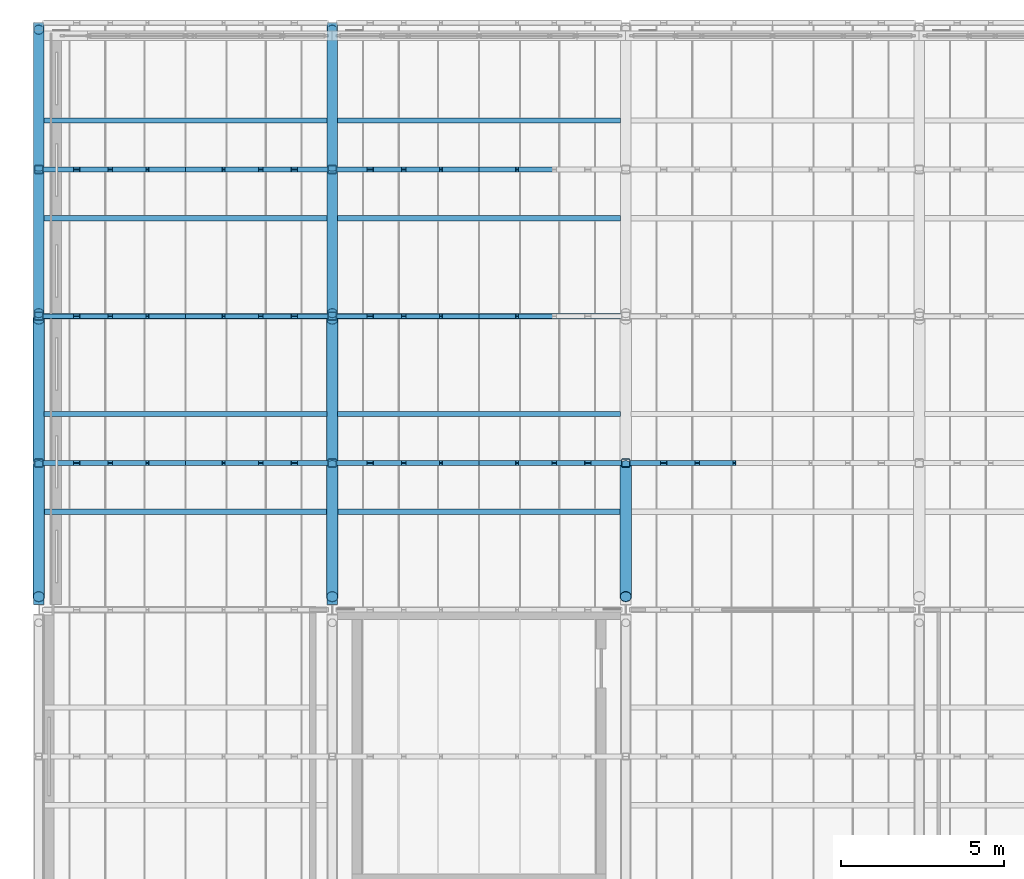
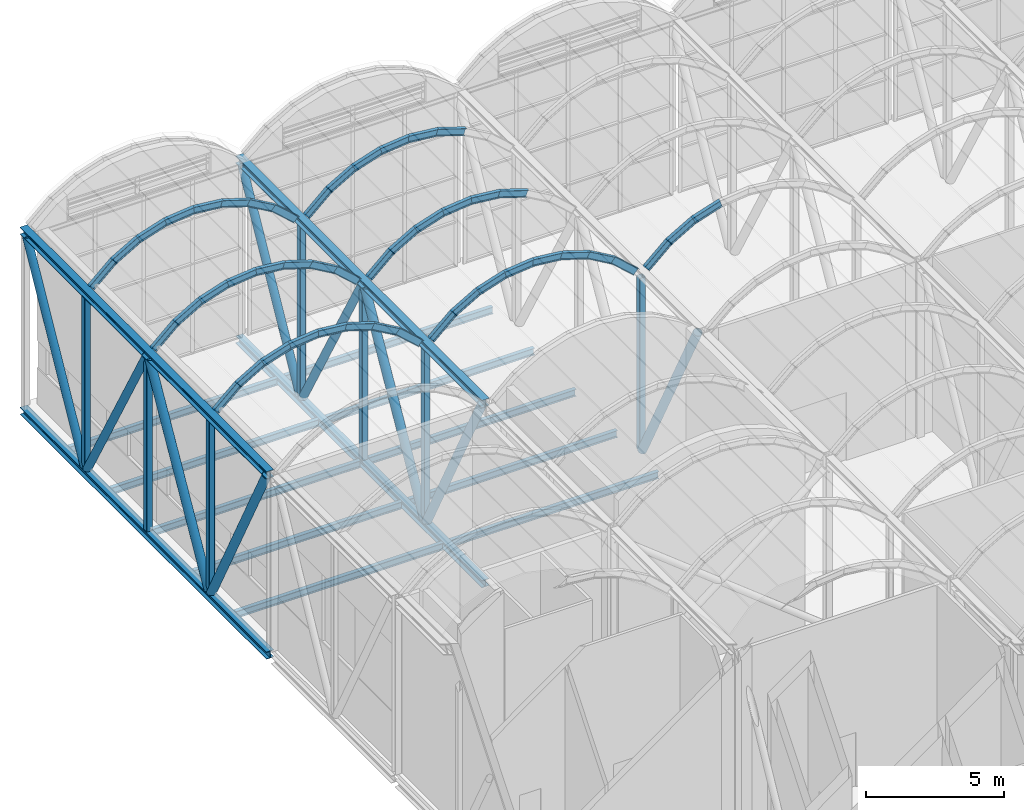
# One storey, part 102 of 144: 63 members, 14 beams.
"""IFC4 building model written with IfcOpenShell, lengths in metres."""

from ifc_helpers import new_model, si_unit, direction, frame, origin, origin_2d, place, context, subcontext, project, spatial, hollow_rectangle, hollow_circle, i_section, extrude, material, material_profile, profile_set, type_object, element, save


model = new_model("IFC4")

# Units and contexts
model_context = context("Model", 3, precision=1e-05, world=origin(), true_north=direction((0.0, 1.0)))
body_context = subcontext(model_context, "Body", "Model", "MODEL_VIEW")
ifc_project = project(units=[si_unit("LENGTHUNIT", "METRE"), si_unit("AREAUNIT", "SQUARE_METRE"), si_unit("VOLUMEUNIT", "CUBIC_METRE"), si_unit("PLANEANGLEUNIT", "RADIAN"), si_unit("MASSUNIT", "GRAM", prefix="KILO")], contexts=[model_context])

# Site, building, storey
site_placement = place(None, origin())
site = spatial("IfcSite", under=ifc_project, at=site_placement, CompositionType="ELEMENT")
building_placement = place(site_placement, origin())
building = spatial("IfcBuilding", under=site, at=building_placement, Name="Shorebreak Coast Museum", CompositionType="ELEMENT")
storey_placement = place(building_placement, frame((0.0, 0.0, 36.0)))
storey = spatial("IfcBuildingStorey", under=building, at=storey_placement, Name="L06", CompositionType="ELEMENT", Elevation=36.0)

# Beams
ifc_material_1 = material(Name="Steel Grade 300", Category="steel")
ifc_material_profile_1 = material_profile(ifc_material_1, i_section(OverallWidth=0.166015625, OverallDepth=0.30712890625, WebThickness=0.006591796875, FlangeThickness=0.01171875, FilletRadius=0.011474609375, at=origin_2d()), Name="310UB46.2")
ifc_profile_set_1 = profile_set([ifc_material_profile_1], Name="Steel Grade 300")
beam_type_1 = type_object("IfcBeamType", Name="Floor girder east-west 310UB46.2", PredefinedType="BEAM", material=ifc_profile_set_1)
for number, where, z_axis, x_axis, name in (
    (1, (54.155517578125, 126.0, -0.32861328125), (1.0, 0.0, 0.0), (0.0, 1.0, 0.0), "Floor girder east-west L06 7R"),
    (2, (63.155517578125, 126.0, -0.32861328125), (1.0, 0.0, 0.0), (0.0, 1.0, 0.0), "Floor girder east-west L06 8R"),
):
    element("IfcBeam", number, at=place(storey_placement, frame(where, z_axis=z_axis, x_axis=x_axis)), inside=storey, type_object=beam_type_1, Name=name, PredefinedType="BEAM", context=body_context, shape_type="SweptSolid", body=[
        extrude(i_section(OverallWidth=0.166015625, OverallDepth=0.30712890625, WebThickness=0.006591796875, FlangeThickness=0.01171875, FilletRadius=0.011474609375, at=origin_2d()), origin(), (0.0, 0.0, 1.0), 8.68896484375),
    ])
ifc_material_2 = material(Name="Steel Grade 300", Category="steel")
ifc_material_profile_2 = material_profile(ifc_material_2, i_section(OverallWidth=0.166015625, OverallDepth=0.30712890625, WebThickness=0.006591796875, FlangeThickness=0.01171875, FilletRadius=0.011474609375, at=origin_2d()), Name="310UB46.2")
ifc_profile_set_2 = profile_set([ifc_material_profile_2], Name="Steel Grade 300")
beam_type_2 = type_object("IfcBeamType", Name="Floor joist 310UB46.2", PredefinedType="JOIST", material=ifc_profile_set_2)
for number, where, z_axis, x_axis, name in (
    (3, (54.155517578125, 120.0, -0.32861328125), (1.0, 0.0, 0.0), (0.0, 1.0, 0.0), "Floor joist L06 bay 7P at 3000 mm"),
    (4, (54.155517578125, 123.0, -0.32861328125), (1.0, 0.0, 0.0), (0.0, 1.0, 0.0), "Floor joist L06 bay 7P at 6000 mm"),
    (5, (63.155517578125, 120.0, -0.32861328125), (1.0, 0.0, 0.0), (0.0, 1.0, 0.0), "Floor joist L06 bay 8P at 3000 mm"),
    (6, (63.155517578125, 123.0, -0.32861328125), (1.0, 0.0, 0.0), (0.0, 1.0, 0.0), "Floor joist L06 bay 8P at 6000 mm"),
    (7, (54.155517578125, 129.0, -0.32861328125), (1.0, 0.0, 0.0), (0.0, 1.0, 0.0), "Floor joist L06 bay 7R at 3000 mm"),
    (8, (54.155517578125, 132.0, -0.32861328125), (1.0, 0.0, 0.0), (0.0, 1.0, 0.0), "Floor joist L06 bay 7R at 6000 mm"),
    (9, (63.155517578125, 129.0, -0.32861328125), (1.0, 0.0, 0.0), (0.0, 1.0, 0.0), "Floor joist L06 bay 8R at 3000 mm"),
    (10, (63.155517578125, 132.0, -0.32861328125), (1.0, 0.0, 0.0), (0.0, 1.0, 0.0), "Floor joist L06 bay 8R at 6000 mm"),
):
    element("IfcBeam", number, at=place(storey_placement, frame(where, z_axis=z_axis, x_axis=x_axis)), inside=storey, type_object=beam_type_2, Name=name, PredefinedType="JOIST", context=body_context, shape_type="SweptSolid", body=[
        extrude(i_section(OverallWidth=0.166015625, OverallDepth=0.30712890625, WebThickness=0.006591796875, FlangeThickness=0.01171875, FilletRadius=0.011474609375, at=origin_2d()), origin(), (0.0, 0.0, 1.0), 8.68896484375),
    ])
ifc_material_3 = material(Name="Steel Grade 300", Category="steel")
ifc_material_profile_3 = material_profile(ifc_material_3, i_section(OverallWidth=0.30908203125, OverallDepth=0.320556640625, WebThickness=0.013916015625, FlangeThickness=0.021728515625, FilletRadius=0.0166015625, at=origin_2d()), Name="310UC137")
ifc_profile_set_3 = profile_set([ifc_material_profile_3], Name="Steel Grade 300")
beam_type_3 = type_object("IfcBeamType", Name="Transfer truss chord 310UC137", PredefinedType="BEAM", material=ifc_profile_set_3)
for number, where, z_axis, x_axis, name in (
    (11, (54.0, 117.16357421875, -0.335205078125), (0.0, 1.0, 0.0), (-1.0, 0.0, 0.0), "Transfer truss TR1 chord C08"),
    (12, (63.0, 117.16357421875, -0.335205078125), (0.0, 1.0, 0.0), (-1.0, 0.0, 0.0), "Transfer truss TR2 chord C08"),
):
    element("IfcBeam", number, at=place(storey_placement, frame(where, z_axis=z_axis, x_axis=x_axis)), inside=storey, type_object=beam_type_3, Name=name, PredefinedType="BEAM", context=body_context, shape_type="SweptSolid", body=[
        extrude(i_section(OverallWidth=0.30908203125, OverallDepth=0.320556640625, WebThickness=0.013916015625, FlangeThickness=0.021728515625, FilletRadius=0.0166015625, at=origin_2d()), origin(), (0.0, 0.0, 1.0), 17.83642578125),
    ])
ifc_material_4 = material(Name="Steel Grade 300", Category="steel")
ifc_material_profile_4 = material_profile(ifc_material_4, i_section(OverallWidth=0.31103515625, OverallDepth=0.3271484375, WebThickness=0.015625, FlangeThickness=0.02490234375, FilletRadius=0.0166015625, at=origin_2d()), Name="310UC158")
ifc_profile_set_4 = profile_set([ifc_material_profile_4], Name="Steel Grade 300")
beam_type_4 = type_object("IfcBeamType", Name="Transfer truss chord 310UC158", PredefinedType="BEAM", material=ifc_profile_set_4)
for number, where, z_axis, x_axis, name in (
    (13, (54.0, 117.16357421875, 7.621337890625), (0.0, 1.0, 0.0), (-1.0, 0.0, 0.0), "Transfer truss TR1 chord C12"),
    (14, (63.0, 117.16357421875, 7.621337890625), (0.0, 1.0, 0.0), (-1.0, 0.0, 0.0), "Transfer truss TR2 chord C12"),
):
    element("IfcBeam", number, at=place(storey_placement, frame(where, z_axis=z_axis, x_axis=x_axis)), inside=storey, type_object=beam_type_4, Name=name, PredefinedType="BEAM", context=body_context, shape_type="SweptSolid", body=[
        extrude(i_section(OverallWidth=0.31103515625, OverallDepth=0.3271484375, WebThickness=0.015625, FlangeThickness=0.02490234375, FilletRadius=0.0166015625, at=origin_2d()), origin(), (0.0, 0.0, 1.0), 17.83642578125),
    ])

# Members
ifc_material_5 = material(Name="Steel Grade C350L0", Category="steel")
ifc_material_profile_5 = material_profile(ifc_material_5, hollow_circle(Radius=0.161865234375, WallThickness=0.009521484375, at=origin_2d()), Name="323.9x9.5 CHS")
ifc_profile_set_5 = profile_set([ifc_material_profile_5], Name="Steel Grade C350L0")
member_type_1 = type_object("IfcMemberType", Name="Transfer truss diagonal 323.9x9.5 CHS", PredefinedType="BRACE", material=ifc_profile_set_5)
member_1_placement = place(storey_placement, frame((54.0, 130.4091796875, -0.175048828125), z_axis=(0.0, -0.492269166118, 0.870443029778), x_axis=(1.0, 0.0, 0.0)))
element("IfcMember", 15, at=member_1_placement, inside=storey, type_object=member_type_1, Name="Transfer truss TR1 diagonal D17", PredefinedType="BRACE", context=body_context, shape_type="SweptSolid", body=[
    extrude(hollow_circle(Radius=0.161865234375, WallThickness=0.009521484375, at=origin_2d()), origin(), (0.0, 0.0, 1.0), 8.768798828125),
])
member_2_placement = place(storey_placement, frame((54.0, 130.588134765625, -0.175048828125), z_axis=(0.0, 0.481806847745, 0.876277445485), x_axis=(-1.0, 0.0, 0.0)))
element("IfcMember", 16, at=member_2_placement, inside=storey, type_object=member_type_1, Name="Transfer truss TR1 diagonal D18", PredefinedType="BRACE", context=body_context, shape_type="SweptSolid", body=[
    extrude(hollow_circle(Radius=0.161865234375, WallThickness=0.009521484375, at=origin_2d()), origin(), (0.0, 0.0, 1.0), 8.71044921875),
])
member_3_placement = place(storey_placement, frame((63.0, 130.4091796875, -0.175048828125), z_axis=(0.0, -0.492269166118, 0.870443029778), x_axis=(1.0, 0.0, 0.0)))
element("IfcMember", 17, at=member_3_placement, inside=storey, type_object=member_type_1, Name="Transfer truss TR2 diagonal D17", PredefinedType="BRACE", context=body_context, shape_type="SweptSolid", body=[
    extrude(hollow_circle(Radius=0.161865234375, WallThickness=0.009521484375, at=origin_2d()), origin(), (0.0, 0.0, 1.0), 8.768798828125),
])
member_4_placement = place(storey_placement, frame((63.0, 130.588134765625, -0.175048828125), z_axis=(0.0, 0.481806847745, 0.876277445485), x_axis=(-1.0, 0.0, 0.0)))
element("IfcMember", 18, at=member_4_placement, inside=storey, type_object=member_type_1, Name="Transfer truss TR2 diagonal D18", PredefinedType="BRACE", context=body_context, shape_type="SweptSolid", body=[
    extrude(hollow_circle(Radius=0.161865234375, WallThickness=0.009521484375, at=origin_2d()), origin(), (0.0, 0.0, 1.0), 8.71044921875),
])
ifc_material_6 = material(Name="Steel Grade C350L0", Category="steel")
ifc_material_profile_6 = material_profile(ifc_material_6, hollow_circle(Radius=0.177734375, WallThickness=0.0126953125, at=origin_2d()), Name="355.6x12.7 CHS")
ifc_profile_set_6 = profile_set([ifc_material_profile_6], Name="Steel Grade C350L0")
member_type_2 = type_object("IfcMemberType", Name="Transfer truss diagonal 355.6x12.7 CHS", PredefinedType="BRACE", material=ifc_profile_set_6)
member_5_placement = place(storey_placement, frame((54.0, 121.415771484375, -0.175048828125), z_axis=(0.0, -0.465641431585, 0.884973478242), x_axis=(1.0, 0.0, 0.0)))
element("IfcMember", 19, at=member_5_placement, inside=storey, type_object=member_type_2, Name="Transfer truss TR1 diagonal D15", PredefinedType="BRACE", context=body_context, shape_type="SweptSolid", body=[
    extrude(hollow_circle(Radius=0.177734375, WallThickness=0.0126953125, at=origin_2d()), origin(), (0.0, 0.0, 1.0), 8.625),
])
member_6_placement = place(storey_placement, frame((54.0, 121.5908203125, -0.175048828125), z_axis=(0.0, 0.492269166118, 0.870443029778), x_axis=(-1.0, 0.0, 0.0)))
element("IfcMember", 20, at=member_6_placement, inside=storey, type_object=member_type_2, Name="Transfer truss TR1 diagonal D16", PredefinedType="BRACE", context=body_context, shape_type="SweptSolid", body=[
    extrude(hollow_circle(Radius=0.177734375, WallThickness=0.0126953125, at=origin_2d()), origin(), (0.0, 0.0, 1.0), 8.768798828125),
])
member_7_placement = place(storey_placement, frame((63.0, 121.415771484375, -0.175048828125), z_axis=(0.0, -0.465641431585, 0.884973478242), x_axis=(1.0, 0.0, 0.0)))
element("IfcMember", 21, at=member_7_placement, inside=storey, type_object=member_type_2, Name="Transfer truss TR2 diagonal D15", PredefinedType="BRACE", context=body_context, shape_type="SweptSolid", body=[
    extrude(hollow_circle(Radius=0.177734375, WallThickness=0.0126953125, at=origin_2d()), origin(), (0.0, 0.0, 1.0), 8.625),
])
member_8_placement = place(storey_placement, frame((63.0, 121.5908203125, -0.175048828125), z_axis=(0.0, 0.492269166118, 0.870443029778), x_axis=(-1.0, 0.0, 0.0)))
element("IfcMember", 22, at=member_8_placement, inside=storey, type_object=member_type_2, Name="Transfer truss TR2 diagonal D16", PredefinedType="BRACE", context=body_context, shape_type="SweptSolid", body=[
    extrude(hollow_circle(Radius=0.177734375, WallThickness=0.0126953125, at=origin_2d()), origin(), (0.0, 0.0, 1.0), 8.768798828125),
])
member_9_placement = place(storey_placement, frame((72.0, 121.415771484375, -0.175048828125), z_axis=(0.0, -0.465641431585, 0.884973478242), x_axis=(1.0, 0.0, 0.0)))
element("IfcMember", 23, at=member_9_placement, inside=storey, type_object=member_type_2, Name="Transfer truss TR3 diagonal D15", PredefinedType="BRACE", context=body_context, shape_type="SweptSolid", body=[
    extrude(hollow_circle(Radius=0.177734375, WallThickness=0.0126953125, at=origin_2d()), origin(), (0.0, 0.0, 1.0), 8.625),
])
ifc_material_7 = material(Name="Steel Grade C450L0", Category="steel")
ifc_material_profile_7 = material_profile(ifc_material_7, hollow_rectangle(XDim=0.25, YDim=0.25, WallThickness=0.009033203125, InnerFilletRadius=0.013427734375, OuterFilletRadius=0.0224609375, at=origin_2d()), Name="250x250x9.0 SHS")
ifc_profile_set_7 = profile_set([ifc_material_profile_7], Name="Steel Grade C450L0")
member_type_3 = type_object("IfcMemberType", Name="Transfer truss strut 250x250x9.0 SHS", PredefinedType="STRUT", material=ifc_profile_set_7)
for number, where, z_axis, x_axis, name in (
    (24, (54.0, 121.5, -0.175048828125), (0.0, 0.0, 1.0), (1.0, 0.0, 0.0), "Transfer truss TR1 strut V11"),
    (25, (54.0, 126.0, -0.175048828125), (0.0, 0.0, 1.0), (1.0, 0.0, 0.0), "Transfer truss TR1 strut V12"),
    (26, (54.0, 130.5, -0.175048828125), (0.0, 0.0, 1.0), (1.0, 0.0, 0.0), "Transfer truss TR1 strut V13"),
    (27, (63.0, 121.5, -0.175048828125), (0.0, 0.0, 1.0), (1.0, 0.0, 0.0), "Transfer truss TR2 strut V11"),
    (28, (63.0, 126.0, -0.175048828125), (0.0, 0.0, 1.0), (1.0, 0.0, 0.0), "Transfer truss TR2 strut V12"),
    (29, (63.0, 130.5, -0.175048828125), (0.0, 0.0, 1.0), (1.0, 0.0, 0.0), "Transfer truss TR2 strut V13"),
    (30, (72.0, 121.5, -0.175048828125), (0.0, 0.0, 1.0), (1.0, 0.0, 0.0), "Transfer truss TR3 strut V11"),
):
    element("IfcMember", number, at=place(storey_placement, frame(where, z_axis=z_axis, x_axis=x_axis)), inside=storey, type_object=member_type_3, Name=name, PredefinedType="STRUT", context=body_context, shape_type="SweptSolid", body=[
        extrude(hollow_rectangle(XDim=0.25, YDim=0.25, WallThickness=0.009033203125, InnerFilletRadius=0.013427734375, OuterFilletRadius=0.0224609375, at=origin_2d()), origin(), (0.0, 0.0, 1.0), 7.6328125),
    ])
ifc_material_8 = material(Name="Steel Grade 300", Category="steel")
ifc_material_profile_8 = material_profile(ifc_material_8, i_section(OverallWidth=0.14892578125, OverallDepth=0.298095703125, WebThickness=0.005615234375, FlangeThickness=0.008056640625, FilletRadius=0.012939453125, at=origin_2d()), Name="310UB32.0")
ifc_profile_set_8 = profile_set([ifc_material_profile_8], Name="Steel Grade 300")
member_type_4 = type_object("IfcMemberType", Name="Vault arch rib 310UB32.0", PredefinedType="RAFTER", material=ifc_profile_set_8)
for number, where, z_axis, x_axis, name in (
    (31, (54.21240234375, 121.5, 7.7216796875), (0.743894909598, 0.0, 0.668296613394), (0.0, 1.0, 0.0), "Vault arch rib V1 line 07 facet 1"),
    (32, (54.21240234375, 126.0, 7.7216796875), (0.743894909598, 0.0, 0.668296613394), (0.0, 1.0, 0.0), "Vault arch rib V1 line 08 facet 1"),
    (33, (54.21240234375, 130.5, 7.7216796875), (0.743894909598, 0.0, 0.668296613394), (0.0, 1.0, 0.0), "Vault arch rib V1 line 09 facet 1"),
):
    element("IfcMember", number, at=place(storey_placement, frame(where, z_axis=z_axis, x_axis=x_axis)), inside=storey, type_object=member_type_4, Name=name, PredefinedType="RAFTER", context=body_context, shape_type="SweptSolid", body=[
        extrude(i_section(OverallWidth=0.14892578125, OverallDepth=0.298095703125, WebThickness=0.005615234375, FlangeThickness=0.008056640625, FilletRadius=0.012939453125, at=origin_2d()), origin(), (0.0, 0.0, 1.0), 1.2724609375),
    ])
for number, where, z_axis, x_axis, name in (
    (34, (55.1337890625, 121.5, 8.5537109375), (0.866444596228, 0.0, 0.499273233478), (0.0, 1.0, 0.0), "Vault arch rib V1 line 07 facet 2"),
    (35, (55.1337890625, 126.0, 8.5537109375), (0.866444596228, 0.0, 0.499273233478), (0.0, 1.0, 0.0), "Vault arch rib V1 line 08 facet 2"),
    (36, (55.1337890625, 130.5, 8.5537109375), (0.866444596228, 0.0, 0.499273233478), (0.0, 1.0, 0.0), "Vault arch rib V1 line 09 facet 2"),
    (37, (56.165283203125, 121.5, 9.152099609375), (0.951225984169, 0.0, 0.308494938436), (0.0, 1.0, 0.0), "Vault arch rib V1 line 07 facet 3"),
    (38, (56.165283203125, 126.0, 9.152099609375), (0.951225984169, 0.0, 0.308494938436), (0.0, 1.0, 0.0), "Vault arch rib V1 line 08 facet 3"),
    (39, (56.165283203125, 130.5, 9.152099609375), (0.951225984169, 0.0, 0.308494938436), (0.0, 1.0, 0.0), "Vault arch rib V1 line 09 facet 3"),
    (40, (57.298828125, 121.5, 9.52294921875), (0.994539296345, 0.0, 0.104362771266), (0.0, 1.0, 0.0), "Vault arch rib V1 line 07 facet 4"),
    (41, (57.298828125, 126.0, 9.52294921875), (0.994539296345, 0.0, 0.104362771266), (0.0, 1.0, 0.0), "Vault arch rib V1 line 08 facet 4"),
    (42, (57.298828125, 130.5, 9.52294921875), (0.994539296345, 0.0, 0.104362771266), (0.0, 1.0, 0.0), "Vault arch rib V1 line 09 facet 4"),
    (43, (58.484375, 121.5, 9.650634765625), (0.994539296345, 0.0, -0.104362771266), (0.0, 1.0, 0.0), "Vault arch rib V1 line 07 facet 5"),
    (44, (58.484375, 126.0, 9.650634765625), (0.994539296345, 0.0, -0.104362771266), (0.0, 1.0, 0.0), "Vault arch rib V1 line 08 facet 5"),
    (45, (58.484375, 130.5, 9.650634765625), (0.994539296345, 0.0, -0.104362771266), (0.0, 1.0, 0.0), "Vault arch rib V1 line 09 facet 5"),
    (46, (59.6708984375, 121.5, 9.529541015625), (0.951225984169, 0.0, -0.308494938436), (0.0, 1.0, 0.0), "Vault arch rib V1 line 07 facet 6"),
    (47, (59.6708984375, 126.0, 9.529541015625), (0.951225984169, 0.0, -0.308494938436), (0.0, 1.0, 0.0), "Vault arch rib V1 line 08 facet 6"),
    (48, (59.6708984375, 130.5, 9.529541015625), (0.951225984169, 0.0, -0.308494938436), (0.0, 1.0, 0.0), "Vault arch rib V1 line 09 facet 6"),
    (49, (60.80615234375, 121.5, 9.16455078125), (0.866444596228, 0.0, -0.499273233478), (0.0, 1.0, 0.0), "Vault arch rib V1 line 07 facet 7"),
    (50, (60.80615234375, 126.0, 9.16455078125), (0.866444596228, 0.0, -0.499273233478), (0.0, 1.0, 0.0), "Vault arch rib V1 line 08 facet 7"),
    (51, (60.80615234375, 130.5, 9.16455078125), (0.866444596228, 0.0, -0.499273233478), (0.0, 1.0, 0.0), "Vault arch rib V1 line 09 facet 7"),
):
    element("IfcMember", number, at=place(storey_placement, frame(where, z_axis=z_axis, x_axis=x_axis)), inside=storey, type_object=member_type_4, Name=name, PredefinedType="RAFTER", context=body_context, shape_type="SweptSolid", body=[
        extrude(i_section(OverallWidth=0.14892578125, OverallDepth=0.298095703125, WebThickness=0.005615234375, FlangeThickness=0.008056640625, FilletRadius=0.012939453125, at=origin_2d()), origin(), (0.0, 0.0, 1.0), 1.223388671875),
    ])
for number, where, z_axis, x_axis, name in (
    (52, (61.841064453125, 121.5, 8.572021484375), (0.743894909598, 0.0, -0.668296613394), (0.0, 1.0, 0.0), "Vault arch rib V1 line 07 facet 8"),
    (53, (61.841064453125, 126.0, 8.572021484375), (0.743894909598, 0.0, -0.668296613394), (0.0, 1.0, 0.0), "Vault arch rib V1 line 08 facet 8"),
    (54, (61.841064453125, 130.5, 8.572021484375), (0.743894909598, 0.0, -0.668296613394), (0.0, 1.0, 0.0), "Vault arch rib V1 line 09 facet 8"),
    (55, (63.21240234375, 121.5, 7.7216796875), (0.743894909598, 0.0, 0.668296613394), (0.0, 1.0, 0.0), "Vault arch rib V2 line 07 facet 1"),
    (56, (63.21240234375, 126.0, 7.7216796875), (0.743894909598, 0.0, 0.668296613394), (0.0, 1.0, 0.0), "Vault arch rib V2 line 08 facet 1"),
    (57, (63.21240234375, 130.5, 7.7216796875), (0.743894909598, 0.0, 0.668296613394), (0.0, 1.0, 0.0), "Vault arch rib V2 line 09 facet 1"),
):
    element("IfcMember", number, at=place(storey_placement, frame(where, z_axis=z_axis, x_axis=x_axis)), inside=storey, type_object=member_type_4, Name=name, PredefinedType="RAFTER", context=body_context, shape_type="SweptSolid", body=[
        extrude(i_section(OverallWidth=0.14892578125, OverallDepth=0.298095703125, WebThickness=0.005615234375, FlangeThickness=0.008056640625, FilletRadius=0.012939453125, at=origin_2d()), origin(), (0.0, 0.0, 1.0), 1.2724609375),
    ])
for number, where, z_axis, x_axis, name in (
    (58, (64.1337890625, 121.5, 8.5537109375), (0.866444596228, 0.0, 0.499273233478), (0.0, 1.0, 0.0), "Vault arch rib V2 line 07 facet 2"),
    (59, (64.1337890625, 126.0, 8.5537109375), (0.866444596228, 0.0, 0.499273233478), (0.0, 1.0, 0.0), "Vault arch rib V2 line 08 facet 2"),
    (60, (64.1337890625, 130.5, 8.5537109375), (0.866444596228, 0.0, 0.499273233478), (0.0, 1.0, 0.0), "Vault arch rib V2 line 09 facet 2"),
    (61, (65.165283203125, 121.5, 9.152099609375), (0.951225984169, 0.0, 0.308494938436), (0.0, 1.0, 0.0), "Vault arch rib V2 line 07 facet 3"),
    (62, (65.165283203125, 126.0, 9.152099609375), (0.951225984169, 0.0, 0.308494938436), (0.0, 1.0, 0.0), "Vault arch rib V2 line 08 facet 3"),
    (63, (65.165283203125, 130.5, 9.152099609375), (0.951225984169, 0.0, 0.308494938436), (0.0, 1.0, 0.0), "Vault arch rib V2 line 09 facet 3"),
    (64, (66.298828125, 121.5, 9.52294921875), (0.994539296345, 0.0, 0.104362771266), (0.0, 1.0, 0.0), "Vault arch rib V2 line 07 facet 4"),
    (65, (66.298828125, 126.0, 9.52294921875), (0.994539296345, 0.0, 0.104362771266), (0.0, 1.0, 0.0), "Vault arch rib V2 line 08 facet 4"),
    (66, (66.298828125, 130.5, 9.52294921875), (0.994539296345, 0.0, 0.104362771266), (0.0, 1.0, 0.0), "Vault arch rib V2 line 09 facet 4"),
    (67, (67.484375, 121.5, 9.650634765625), (0.994539296345, 0.0, -0.104362771266), (0.0, 1.0, 0.0), "Vault arch rib V2 line 07 facet 5"),
    (68, (67.484375, 126.0, 9.650634765625), (0.994539296345, 0.0, -0.104362771266), (0.0, 1.0, 0.0), "Vault arch rib V2 line 08 facet 5"),
    (69, (67.484375, 130.5, 9.650634765625), (0.994539296345, 0.0, -0.104362771266), (0.0, 1.0, 0.0), "Vault arch rib V2 line 09 facet 5"),
    (70, (68.6708984375, 121.5, 9.529541015625), (0.951225984169, 0.0, -0.308494938436), (0.0, 1.0, 0.0), "Vault arch rib V2 line 07 facet 6"),
    (71, (68.6708984375, 126.0, 9.529541015625), (0.951225984169, 0.0, -0.308494938436), (0.0, 1.0, 0.0), "Vault arch rib V2 line 08 facet 6"),
    (72, (68.6708984375, 130.5, 9.529541015625), (0.951225984169, 0.0, -0.308494938436), (0.0, 1.0, 0.0), "Vault arch rib V2 line 09 facet 6"),
    (73, (69.80615234375, 121.5, 9.16455078125), (0.866444596228, 0.0, -0.499273233478), (0.0, 1.0, 0.0), "Vault arch rib V2 line 07 facet 7"),
):
    element("IfcMember", number, at=place(storey_placement, frame(where, z_axis=z_axis, x_axis=x_axis)), inside=storey, type_object=member_type_4, Name=name, PredefinedType="RAFTER", context=body_context, shape_type="SweptSolid", body=[
        extrude(i_section(OverallWidth=0.14892578125, OverallDepth=0.298095703125, WebThickness=0.005615234375, FlangeThickness=0.008056640625, FilletRadius=0.012939453125, at=origin_2d()), origin(), (0.0, 0.0, 1.0), 1.223388671875),
    ])
for number, where, z_axis, x_axis, name in (
    (74, (70.841064453125, 121.5, 8.572021484375), (0.743894909598, 0.0, -0.668296613394), (0.0, 1.0, 0.0), "Vault arch rib V2 line 07 facet 8"),
    (75, (72.21240234375, 121.5, 7.7216796875), (0.743894909598, 0.0, 0.668296613394), (0.0, 1.0, 0.0), "Vault arch rib V3 line 07 facet 1"),
):
    element("IfcMember", number, at=place(storey_placement, frame(where, z_axis=z_axis, x_axis=x_axis)), inside=storey, type_object=member_type_4, Name=name, PredefinedType="RAFTER", context=body_context, shape_type="SweptSolid", body=[
        extrude(i_section(OverallWidth=0.14892578125, OverallDepth=0.298095703125, WebThickness=0.005615234375, FlangeThickness=0.008056640625, FilletRadius=0.012939453125, at=origin_2d()), origin(), (0.0, 0.0, 1.0), 1.2724609375),
    ])
for number, where, z_axis, x_axis, name in (
    (76, (73.1337890625, 121.5, 8.5537109375), (0.866444596228, 0.0, 0.499273233478), (0.0, 1.0, 0.0), "Vault arch rib V3 line 07 facet 2"),
    (77, (74.165283203125, 121.5, 9.152099609375), (0.951225984169, 0.0, 0.308494938436), (0.0, 1.0, 0.0), "Vault arch rib V3 line 07 facet 3"),
):
    element("IfcMember", number, at=place(storey_placement, frame(where, z_axis=z_axis, x_axis=x_axis)), inside=storey, type_object=member_type_4, Name=name, PredefinedType="RAFTER", context=body_context, shape_type="SweptSolid", body=[
        extrude(i_section(OverallWidth=0.14892578125, OverallDepth=0.298095703125, WebThickness=0.005615234375, FlangeThickness=0.008056640625, FilletRadius=0.012939453125, at=origin_2d()), origin(), (0.0, 0.0, 1.0), 1.223388671875),
    ])

save(model, "model.ifc")
